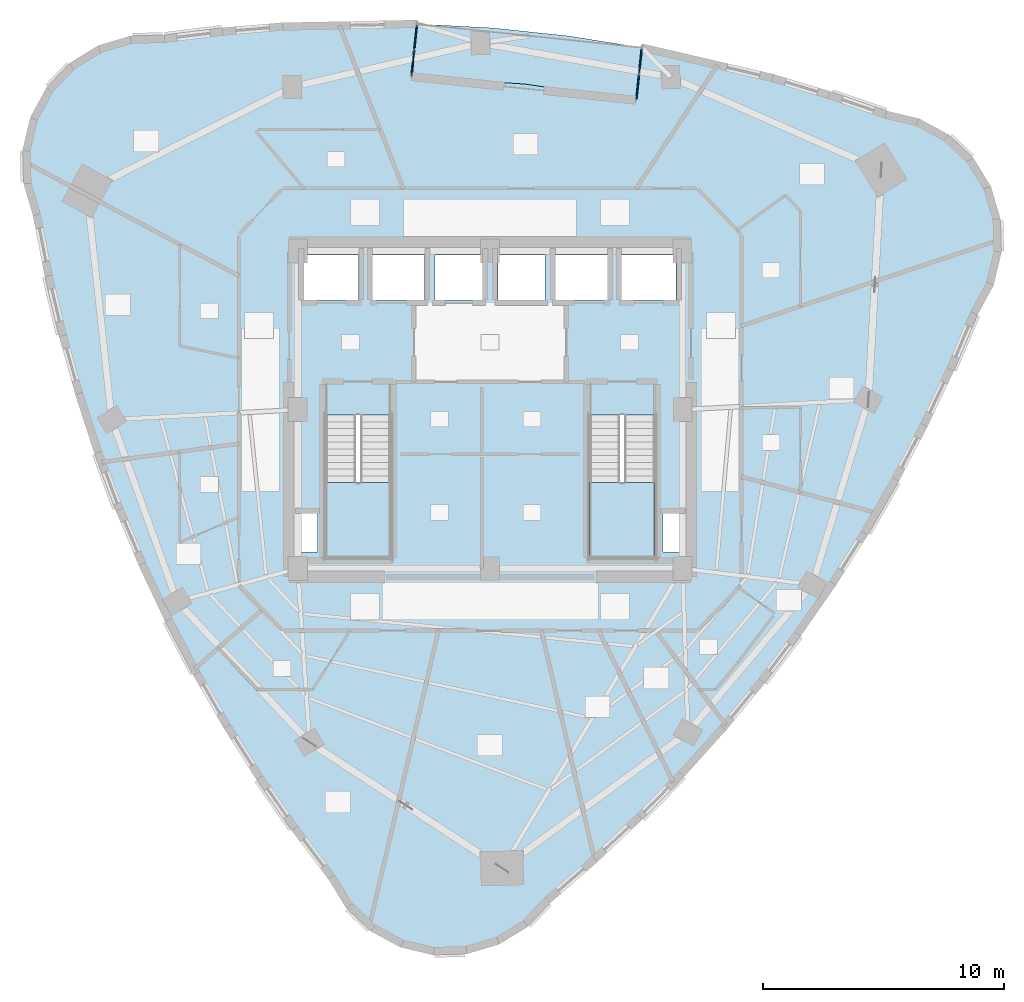
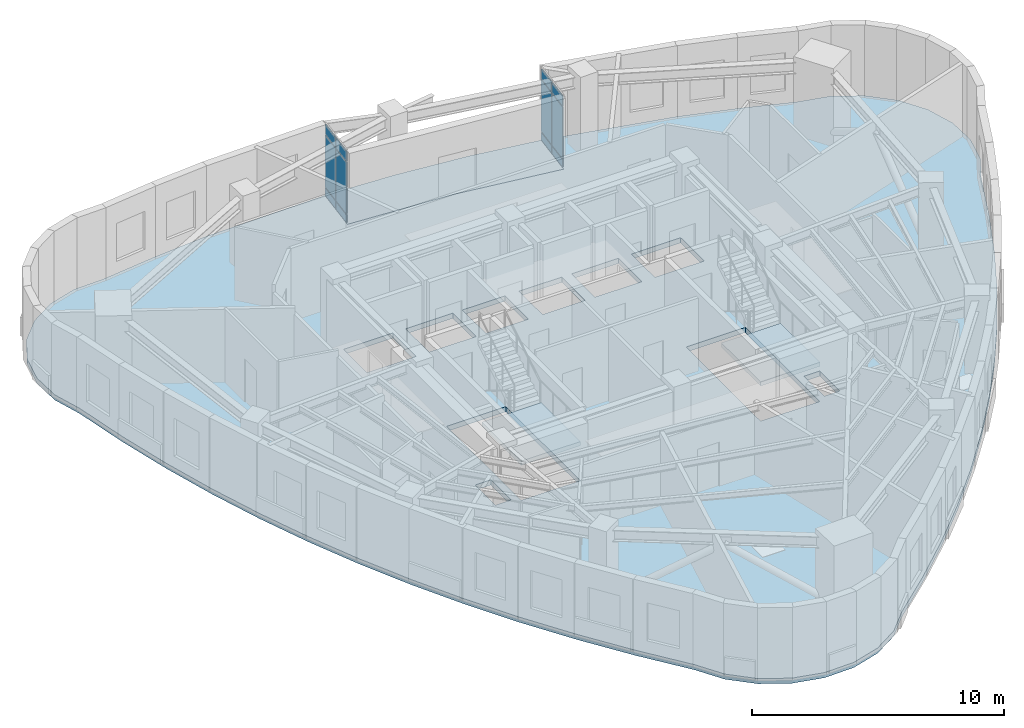
# One storey, part 4 of 12: 12 plates, 4 slabs, 4 elements without a shape of their own.
"""IFC4 building model written with IfcOpenShell, lengths in metres."""

from ifc_helpers import new_model, si_unit, direction, frame, origin, origin_2d, place, context, subcontext, project, spatial, polyline, rectangle, outline, extrude, material, layer, layer_set, type_object, element, aggregate, save


model = new_model("IFC4")

# Units and contexts
model_context = context("Model", 3, precision=1e-05, world=origin(), true_north=direction((0.0, 1.0)))
body_context = subcontext(model_context, "Body", "Model", "MODEL_VIEW")
ifc_project = project(units=[si_unit("LENGTHUNIT", "METRE"), si_unit("AREAUNIT", "SQUARE_METRE"), si_unit("VOLUMEUNIT", "CUBIC_METRE"), si_unit("PLANEANGLEUNIT", "RADIAN"), si_unit("MASSUNIT", "GRAM", prefix="KILO")], contexts=[model_context])

# Site, building, storey
site_placement = place(None, origin())
site = spatial("IfcSite", under=ifc_project, at=site_placement, CompositionType="ELEMENT")
building_placement = place(site_placement, origin())
building = spatial("IfcBuilding", under=site, at=building_placement, Name="Ndelora Gate Hotel", CompositionType="ELEMENT")
storey_placement = place(building_placement, frame((0.0, 0.0, 190.35009765625)))
storey = spatial("IfcBuildingStorey", under=building, at=storey_placement, Name="L47", CompositionType="ELEMENT", Elevation=190.35009765625)

# Curtain wall, plates
ifc_material_1 = material(Name="Bronze Anodised Unitised Aluminium and Low-E Glass", Category="aluminium")
ifc_layer_1 = layer(ifc_material_1, 0.199951171875)
ifc_layer_set_1 = layer_set([ifc_layer_1], Name="Bronze Anodised Unitised Aluminium and Low-E Glass")
curtain_wall_type = type_object("IfcCurtainWallType", Name="CW-SYS-3", PredefinedType="NOTDEFINED", material=ifc_layer_set_1)
curtain_wall_1_placement = place(storey_placement, origin())
curtain_wall_1 = element("IfcCurtainWall", 1, at=curtain_wall_1_placement, inside=storey, type_object=curtain_wall_type, Name="L47 Sky-Garden Loggia Side Curtain Wall CW3-1", PredefinedType="NOTDEFINED")
ifc_material_2 = material(Name="Solar-Control Low-E Insulated Glazing", Category="glass")
ifc_layer_2 = layer(ifc_material_2, 0.048095703125)
ifc_layer_set_2 = layer_set([ifc_layer_2], Name="Solar-Control Low-E Insulated Glazing")
plate_type = type_object("IfcPlateType", Name="PL-CW-GLZ36", PredefinedType="CURTAIN_PANEL", material=ifc_layer_set_2)
plate_1_placement = place(storey_placement, frame((6.13720703125, 13.42822265625, 0.05908203125), z_axis=(0.0, 0.0, 1.0), x_axis=(0.104497862459, 0.994525111167, 0.0)))
plate_1 = element("IfcPlate", 2, at=plate_1_placement, type_object=plate_type, Name="CW3 panel 1.1", PredefinedType="CURTAIN_PANEL", context=body_context, shape_type="SweptSolid", body=[
    extrude(rectangle(XDim=1.014404296875, YDim=0.048095703125, at=origin_2d()), origin(), (0.0, 0.0, 1.0), 0.364501953125),
])
plate_2_placement = place(storey_placement, frame((6.13720703125, 13.42822265625, 0.476318359375), z_axis=(0.0, 0.0, 1.0), x_axis=(0.104497862459, 0.994525111167, 0.0)))
plate_2 = element("IfcPlate", 3, at=plate_2_placement, type_object=plate_type, Name="CW3 panel 1.2", PredefinedType="CURTAIN_PANEL", context=body_context, shape_type="SweptSolid", body=[
    extrude(rectangle(XDim=1.014404296875, YDim=0.048095703125, at=origin_2d()), origin(), (0.0, 0.0, 1.0), 2.4970703125),
])
plate_3_placement = place(storey_placement, frame((6.13720703125, 13.42822265625, 3.0263671875), z_axis=(0.0, 0.0, 1.0), x_axis=(0.104497862459, 0.994525111167, 0.0)))
plate_3 = element("IfcPlate", 4, at=plate_3_placement, type_object=plate_type, Name="CW3 panel 1.3", PredefinedType="CURTAIN_PANEL", context=body_context, shape_type="SweptSolid", body=[
    extrude(rectangle(XDim=1.014404296875, YDim=0.048095703125, at=origin_2d()), origin(), (0.0, 0.0, 1.0), 0.464599609375),
])
plate_4_placement = place(storey_placement, frame((6.248779296875, 14.48974609375, 0.05908203125), z_axis=(0.0, 0.0, 1.0), x_axis=(0.104497862459, 0.994525111167, 0.0)))
plate_4 = element("IfcPlate", 5, at=plate_4_placement, type_object=plate_type, Name="CW3 panel 2.1", PredefinedType="CURTAIN_PANEL", context=body_context, shape_type="SweptSolid", body=[
    extrude(rectangle(XDim=1.014404296875, YDim=0.048095703125, at=origin_2d()), origin(), (0.0, 0.0, 1.0), 0.364501953125),
])
plate_5_placement = place(storey_placement, frame((6.248779296875, 14.48974609375, 0.476318359375), z_axis=(0.0, 0.0, 1.0), x_axis=(0.104497862459, 0.994525111167, 0.0)))
plate_5 = element("IfcPlate", 6, at=plate_5_placement, type_object=plate_type, Name="CW3 panel 2.2", PredefinedType="CURTAIN_PANEL", context=body_context, shape_type="SweptSolid", body=[
    extrude(rectangle(XDim=1.014404296875, YDim=0.048095703125, at=origin_2d()), origin(), (0.0, 0.0, 1.0), 2.4970703125),
])
plate_6_placement = place(storey_placement, frame((6.248779296875, 14.48974609375, 3.0263671875), z_axis=(0.0, 0.0, 1.0), x_axis=(0.104497862459, 0.994525111167, 0.0)))
plate_6 = element("IfcPlate", 7, at=plate_6_placement, type_object=plate_type, Name="CW3 panel 2.3", PredefinedType="CURTAIN_PANEL", context=body_context, shape_type="SweptSolid", body=[
    extrude(rectangle(XDim=1.014404296875, YDim=0.048095703125, at=origin_2d()), origin(), (0.0, 0.0, 1.0), 0.464599609375),
])
aggregate(curtain_wall_1, [plate_1, plate_2, plate_3, plate_4, plate_5, plate_6])

curtain_wall_2_placement = place(storey_placement, origin())
curtain_wall_2 = element("IfcCurtainWall", 8, at=curtain_wall_2_placement, inside=storey, type_object=curtain_wall_type, Name="L47 Sky-Garden Loggia Side Curtain Wall CW3-2", PredefinedType="NOTDEFINED")
plate_7_placement = place(storey_placement, frame((-3.099609375, 15.472412109375, 0.05908203125), z_axis=(0.0, 0.0, 1.0), x_axis=(-0.104497862459, -0.994525111167, 0.0)))
plate_7 = element("IfcPlate", 9, at=plate_7_placement, type_object=plate_type, Name="CW3 panel 1.1", PredefinedType="CURTAIN_PANEL", context=body_context, shape_type="SweptSolid", body=[
    extrude(rectangle(XDim=1.014404296875, YDim=0.048095703125, at=origin_2d()), origin(), (0.0, 0.0, 1.0), 0.364501953125),
])
plate_8_placement = place(storey_placement, frame((-3.099609375, 15.472412109375, 0.476318359375), z_axis=(0.0, 0.0, 1.0), x_axis=(-0.104497862459, -0.994525111167, 0.0)))
plate_8 = element("IfcPlate", 10, at=plate_8_placement, type_object=plate_type, Name="CW3 panel 1.2", PredefinedType="CURTAIN_PANEL", context=body_context, shape_type="SweptSolid", body=[
    extrude(rectangle(XDim=1.014404296875, YDim=0.048095703125, at=origin_2d()), origin(), (0.0, 0.0, 1.0), 2.4970703125),
])
plate_9_placement = place(storey_placement, frame((-3.099609375, 15.472412109375, 3.0263671875), z_axis=(0.0, 0.0, 1.0), x_axis=(-0.104497862459, -0.994525111167, 0.0)))
plate_9 = element("IfcPlate", 11, at=plate_9_placement, type_object=plate_type, Name="CW3 panel 1.3", PredefinedType="CURTAIN_PANEL", context=body_context, shape_type="SweptSolid", body=[
    extrude(rectangle(XDim=1.014404296875, YDim=0.048095703125, at=origin_2d()), origin(), (0.0, 0.0, 1.0), 0.464599609375),
])
plate_10_placement = place(storey_placement, frame((-3.211181640625, 14.41064453125, 0.05908203125), z_axis=(0.0, 0.0, 1.0), x_axis=(-0.104497862459, -0.994525111167, 0.0)))
plate_10 = element("IfcPlate", 12, at=plate_10_placement, type_object=plate_type, Name="CW3 panel 2.1", PredefinedType="CURTAIN_PANEL", context=body_context, shape_type="SweptSolid", body=[
    extrude(rectangle(XDim=1.014404296875, YDim=0.048095703125, at=origin_2d()), origin(), (0.0, 0.0, 1.0), 0.364501953125),
])
plate_11_placement = place(storey_placement, frame((-3.211181640625, 14.41064453125, 0.476318359375), z_axis=(0.0, 0.0, 1.0), x_axis=(-0.104497862459, -0.994525111167, 0.0)))
plate_11 = element("IfcPlate", 13, at=plate_11_placement, type_object=plate_type, Name="CW3 panel 2.2", PredefinedType="CURTAIN_PANEL", context=body_context, shape_type="SweptSolid", body=[
    extrude(rectangle(XDim=1.014404296875, YDim=0.048095703125, at=origin_2d()), origin(), (0.0, 0.0, 1.0), 2.4970703125),
])
plate_12_placement = place(storey_placement, frame((-3.211181640625, 14.41064453125, 3.0263671875), z_axis=(0.0, 0.0, 1.0), x_axis=(-0.104497862459, -0.994525111167, 0.0)))
plate_12 = element("IfcPlate", 14, at=plate_12_placement, type_object=plate_type, Name="CW3 panel 2.3", PredefinedType="CURTAIN_PANEL", context=body_context, shape_type="SweptSolid", body=[
    extrude(rectangle(XDim=1.014404296875, YDim=0.048095703125, at=origin_2d()), origin(), (0.0, 0.0, 1.0), 0.464599609375),
])
aggregate(curtain_wall_2, [plate_7, plate_8, plate_9, plate_10, plate_11, plate_12])

# Stair, slab
ifc_material_3 = material(Name="Precast concrete C40/50", Category="concrete")
stair_type = type_object("IfcStairType", Name="STR-DOG-CORE", PredefinedType="HALF_TURN_STAIR", material=ifc_material_3)
stair_1_placement = place(storey_placement, origin())
stair_1 = element("IfcStair", 15, at=stair_1_placement, inside=storey, type_object=stair_type, Name="L47 Protected Core Exit Stair ST4", PredefinedType="HALF_TURN_STAIR")
ifc_layer_3 = layer(ifc_material_3, 0.219970703125)
ifc_layer_set_3 = layer_set([ifc_layer_3], Name="Precast concrete C40/50")
slab_type_1 = type_object("IfcSlabType", Name="SL-LAND-220", PredefinedType="LANDING", material=ifc_layer_set_3)
slab_1_placement = place(storey_placement, frame((0.0, 0.0, 1.699951171875)))
slab_1 = element("IfcSlab", 16, at=slab_1_placement, type_object=slab_type_1, Name="ST4 landing 1", PredefinedType="LANDING", context=body_context, shape_type="SweptSolid", body=[
    extrude(outline(polyline([(-6.85009765625, -3.030029296875), (-6.85009765625, -6.14990234375), (-4.1298828125, -6.14990234375), (-4.1298828125, -3.030029296875), (-6.85009765625, -3.030029296875)])), origin(), (0.0, 0.0, 1.0), 0.199951171875),
])
aggregate(stair_1, [slab_1])

stair_2_placement = place(storey_placement, origin())
stair_2 = element("IfcStair", 17, at=stair_2_placement, inside=storey, type_object=stair_type, Name="L47 Protected Core Exit Stair ST5", PredefinedType="HALF_TURN_STAIR")
slab_2_placement = place(storey_placement, frame((0.0, 0.0, 1.699951171875)))
slab_2 = element("IfcSlab", 18, at=slab_2_placement, type_object=slab_type_1, Name="ST5 landing 1", PredefinedType="LANDING", context=body_context, shape_type="SweptSolid", body=[
    extrude(outline(polyline([(4.1298828125, -3.030029296875), (4.1298828125, -6.14990234375), (6.85009765625, -6.14990234375), (6.85009765625, -3.030029296875), (4.1298828125, -3.030029296875)])), origin(), (0.0, 0.0, 1.0), 0.199951171875),
])
aggregate(stair_2, [slab_2])

# Slabs
ifc_layer_4 = layer(ifc_material_3, 0.239990234375)
ifc_layer_set_4 = layer_set([ifc_layer_4], Name="Precast concrete C40/50")
slab_type_2 = type_object("IfcSlabType", Name="SL-TER-240", PredefinedType="FLOOR", material=ifc_layer_set_4)
slab_3_placement = place(storey_placement, frame((0.0, 0.0, -0.239990234375)))
element("IfcSlab", 19, at=slab_3_placement, inside=storey, type_object=slab_type_2, Name="L47 Sky Garden Loggia Terrace Slab", PredefinedType="FLOOR", context=body_context, shape_type="SweptSolid", body=[
    extrude(outline(polyline([(6.078125, 12.864990234375), (6.30810546875, 15.052978515625), (3.239990234375, 15.539306640625), (0.0615234375, 15.873291015625), (-3.04052734375, 16.03564453125), (-3.2705078125, 13.84765625), (1.423095703125, 13.53955078125), (6.078125, 12.864990234375)])), origin(), (0.0, 0.0, 1.0), 0.239990234375),
])
ifc_material_4 = material(Name="Concrete C40/50", Category="concrete")
ifc_layer_5 = layer(ifc_material_4, 0.25)
ifc_layer_set_5 = layer_set([ifc_layer_5], Name="Concrete C40/50")
slab_type_3 = type_object("IfcSlabType", Name="SL-TWR-250", PredefinedType="FLOOR", material=ifc_layer_set_5)
slab_4_placement = place(storey_placement, frame((0.0, 0.0, -0.25)))
element("IfcSlab", 20, at=slab_4_placement, inside=storey, type_object=slab_type_3, Name="L47 Structural Floor Slab", PredefinedType="FLOOR", context=body_context, shape_type="SweptSolid", body=[
    extrude(outline(polyline([(-13.55615234375, 15.41552734375), (-14.9130859375, 15.380126953125), (-16.21484375, 14.994384765625), (-17.372314453125, 14.28515625), (-18.306640625, 13.300537109375), (-18.954345703125, 12.107666015625), (-19.271240234375, 10.78759765625), (-19.23583984375, 9.4306640625), (-18.85009765625, 8.129150390625), (-18.357421875, 5.5947265625), (-17.768310546875, 3.103515625), (-17.08251953125, 0.6552734375), (-16.30029296875, -1.750244140625), (-15.421875, -4.112548828125), (-14.447021484375, -6.43212890625), (-13.37548828125, -8.708740234375), (-12.207763671875, -10.9423828125), (-10.943603515625, -13.13330078125), (-9.582763671875, -15.281005859375), (-8.125732421875, -17.385986328125), (-6.572265625, -19.44775390625), (-5.86279296875, -20.605224609375), (-4.878173828125, -21.539794921875), (-3.685302734375, -22.1875), (-2.365234375, -22.50439453125), (-1.00830078125, -22.46875), (0.293212890625, -22.083251953125), (1.45068359375, -21.3740234375), (2.385009765625, -20.389404296875), (4.33349609375, -18.6953125), (6.1962890625, -16.939453125), (7.973876953125, -15.12158203125), (9.666015625, -13.241455078125), (11.272705078125, -11.29931640625), (12.7939453125, -9.29541015625), (14.229736328125, -7.229248046875), (15.580322265625, -5.10107421875), (16.845458984375, -2.91064453125), (18.025146484375, -0.658447265625), (19.119384765625, 1.656005859375), (20.12841796875, 4.0322265625), (20.776123046875, 5.22509765625), (21.093017578125, 6.545166015625), (21.0576171875, 7.902099609375), (20.672119140625, 9.203857421875), (19.962646484375, 10.361083984375), (18.97802734375, 11.295654296875), (17.784912109375, 11.943359375), (16.465087890625, 12.26025390625), (14.121826171875, 13.069091796875), (11.768310546875, 13.781005859375), (6.30810546875, 15.052978515625), (6.078125, 12.864990234375), (1.423095703125, 13.53955078125), (-3.2705078125, 13.84765625), (-3.04052734375, 16.03564453125), (-8.64599609375, 15.926513671875), (-11.09619140625, 15.719482421875), (-13.55615234375, 15.41552734375)]), holes=[polyline([(-6.85009765625, -0.22998046875), (-6.85009765625, -6.14990234375), (-4.1298828125, -6.14990234375), (-4.1298828125, -0.22998046875), (-6.85009765625, -0.22998046875)]), polyline([(4.1298828125, -0.22998046875), (4.1298828125, -6.14990234375), (6.85009765625, -6.14990234375), (6.85009765625, -0.22998046875), (4.1298828125, -0.22998046875)]), polyline([(-7.72998046875, 4.570068359375), (-5.469970703125, 4.570068359375), (-5.469970703125, 6.429931640625), (-7.72998046875, 6.429931640625), (-7.72998046875, 4.570068359375)]), polyline([(5.469970703125, 4.570068359375), (7.72998046875, 4.570068359375), (7.72998046875, 6.429931640625), (5.469970703125, 6.429931640625), (5.469970703125, 4.570068359375)]), polyline([(-4.8798828125, 4.570068359375), (-2.719970703125, 4.570068359375), (-2.719970703125, 6.429931640625), (-4.8798828125, 6.429931640625), (-4.8798828125, 4.570068359375)]), polyline([(2.719970703125, 4.570068359375), (4.8798828125, 4.570068359375), (4.8798828125, 6.429931640625), (2.719970703125, 6.429931640625), (2.719970703125, 4.570068359375)]), polyline([(-2.280029296875, 4.570068359375), (-0.320068359375, 4.570068359375), (-0.320068359375, 6.429931640625), (-2.280029296875, 6.429931640625), (-2.280029296875, 4.570068359375)]), polyline([(0.320068359375, 4.570068359375), (2.280029296875, 4.570068359375), (2.280029296875, 6.429931640625), (0.320068359375, 6.429931640625), (0.320068359375, 4.570068359375)]), polyline([(-7.89990234375, -5.919921875), (-7.179931640625, -5.919921875), (-7.179931640625, -4.320068359375), (-7.89990234375, -4.320068359375), (-7.89990234375, -5.919921875)]), polyline([(7.179931640625, -5.919921875), (7.89990234375, -5.919921875), (7.89990234375, -4.320068359375), (7.179931640625, -4.320068359375), (7.179931640625, -5.919921875)])]), origin(), (0.0, 0.0, 1.0), 0.25),
])

save(model, "model.ifc")
